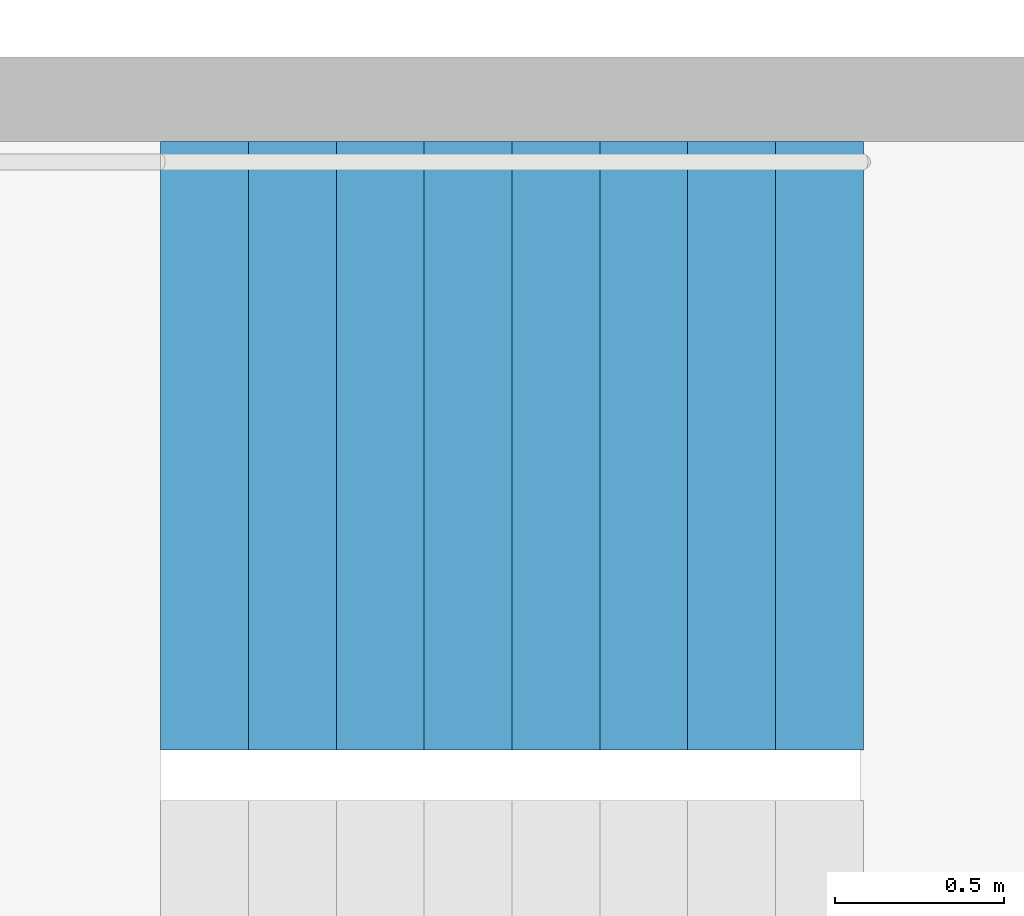
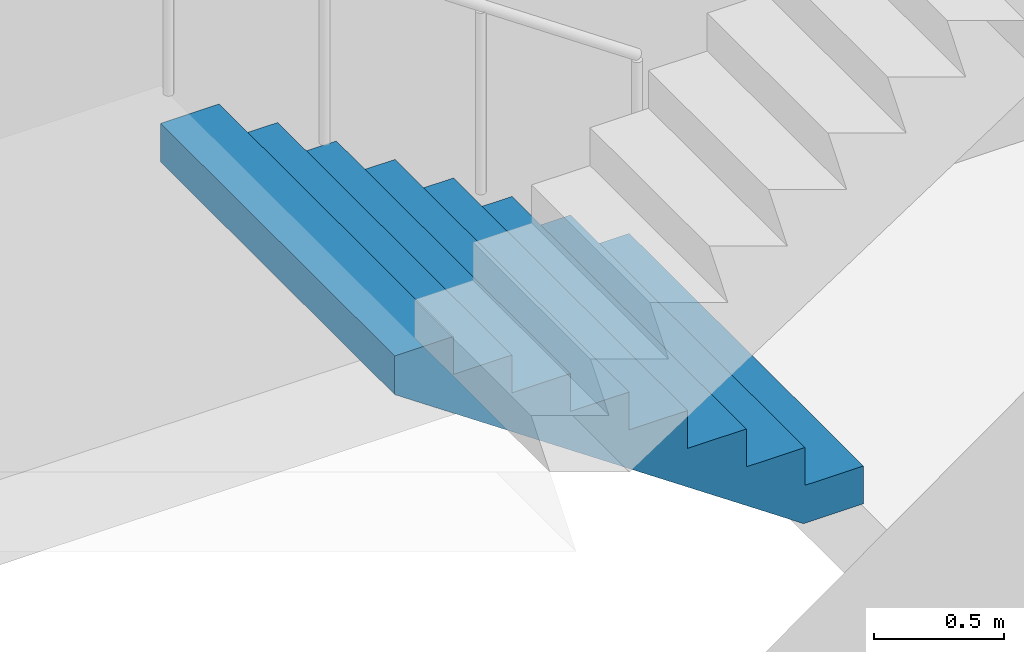
# One storey, part 21 of 28: 1 stair flight, 1 element without a shape of its own.
"""IFC4 building model written with IfcOpenShell, lengths in metres."""

from ifc_helpers import new_model, si_unit, direction, frame, origin, place, context, subcontext, project, spatial, triangles, material, type_object, element, aggregate, save


model = new_model("IFC4")

# Units and contexts
model_context = context("Model", 3, precision=1e-05, world=origin(), true_north=direction((0.0, 1.0)))
body_context = subcontext(model_context, "Body", "Model", "MODEL_VIEW")
ifc_project = project(units=[si_unit("LENGTHUNIT", "METRE"), si_unit("AREAUNIT", "SQUARE_METRE"), si_unit("VOLUMEUNIT", "CUBIC_METRE"), si_unit("PLANEANGLEUNIT", "RADIAN"), si_unit("MASSUNIT", "GRAM", prefix="KILO")], contexts=[model_context])

# Site, building, storey
site_placement = place(None, origin())
site = spatial("IfcSite", under=ifc_project, at=site_placement, CompositionType="ELEMENT")
building_placement = place(site_placement, origin())
building = spatial("IfcBuilding", under=site, at=building_placement, Name="Hakoniwa Tower and Hamabe Station Hall", CompositionType="ELEMENT")
storey_placement = place(building_placement, frame((0.0, 0.0, 58.199951171875)))
storey = spatial("IfcBuildingStorey", under=building, at=storey_placement, Name="L16", CompositionType="ELEMENT", Elevation=58.199951171875)

# Stair, stair flight
ifc_material_1 = material(Name="Concrete C40", Category="concrete")
stair_type = type_object("IfcStairType", Name="ESCAPE STAIR 1800", PredefinedType="HALF_TURN_STAIR", material=ifc_material_1)
stair_placement = place(storey_placement, origin())
stair = element("IfcStair", 1, at=stair_placement, inside=storey, type_object=stair_type, Name="Escape stair ST-2 L16", PredefinedType="HALF_TURN_STAIR")
ifc_material_2 = material(Name="Concrete C40", Category="concrete")
stair_flight_type = type_object("IfcStairFlightType", Name="STAIR FLIGHT 1800", PredefinedType="STRAIGHT", material=ifc_material_2)
stair_flight_placement = place(storey_placement, frame((-23.39990234375, -4.64990234375, 0.0), z_axis=(0.0, 0.0, 1.0), x_axis=(-1.0, 0.0, 0.0)))
stair_flight = element("IfcStairFlight", 2, at=stair_flight_placement, type_object=stair_flight_type, Name="ST-2 flight 1", NumberOfRisers=9, NumberOfTreads=8, PredefinedType="STRAIGHT", RiserHeight=0.177777778, TreadLength=0.26, context=body_context, shape_type="Tessellation", body=[
    triangles([(0.0, 0.89990234375, 0.0), (0.260009765625, 0.89990234375, 0.0), (0.265625, 0.89990234375, 0.0), (0.52001953125, 0.89990234375, 0.174072265625), (0.780029296875, 0.89990234375, 0.351806640625), (1.0400390625, 0.89990234375, 0.529541015625), (1.300048828125, 0.89990234375, 0.707275390625), (1.56005859375, 0.89990234375, 0.885009765625), (1.820068359375, 0.89990234375, 1.062744140625), (2.080078125, 0.89990234375, 1.24072265625), (2.080078125, 0.89990234375, 1.422119140625), (1.820068359375, 0.89990234375, 1.422119140625), (1.820068359375, 0.89990234375, 1.244384765625), (1.56005859375, 0.89990234375, 1.244384765625), (1.56005859375, 0.89990234375, 1.066650390625), (1.300048828125, 0.89990234375, 1.066650390625), (1.300048828125, 0.89990234375, 0.888916015625), (1.0400390625, 0.89990234375, 0.888916015625), (1.0400390625, 0.89990234375, 0.711181640625), (0.780029296875, 0.89990234375, 0.711181640625), (0.780029296875, 0.89990234375, 0.533447265625), (0.52001953125, 0.89990234375, 0.533447265625), (0.52001953125, 0.89990234375, 0.35546875), (0.265625, 0.89990234375, 0.35546875), (0.260009765625, 0.89990234375, 0.35546875), (0.260009765625, 0.89990234375, 0.177734375), (0.0, 0.89990234375, 0.177734375), (0.0, 0.06005859375, 0.0), (0.260009765625, 0.06005859375, 0.0), (0.265625, 0.06005859375, 0.0), (0.52001953125, 0.06005859375, 0.174072265625), (0.780029296875, 0.06005859375, 0.351806640625), (1.0400390625, 0.06005859375, 0.529541015625), (1.300048828125, 0.06005859375, 0.707275390625), (1.56005859375, 0.06005859375, 0.885009765625), (1.820068359375, 0.06005859375, 1.062744140625), (2.080078125, 0.06005859375, 1.24072265625), (2.080078125, 0.06005859375, 1.422119140625), (1.820068359375, 0.06005859375, 1.422119140625), (1.820068359375, 0.06005859375, 1.244384765625), (1.56005859375, 0.06005859375, 1.244384765625), (1.56005859375, 0.06005859375, 1.066650390625), (1.300048828125, 0.06005859375, 1.066650390625), (1.300048828125, 0.06005859375, 0.888916015625), (1.0400390625, 0.06005859375, 0.888916015625), (1.0400390625, 0.06005859375, 0.711181640625), (0.780029296875, 0.06005859375, 0.711181640625), (0.780029296875, 0.06005859375, 0.533447265625), (0.52001953125, 0.06005859375, 0.533447265625), (0.52001953125, 0.06005859375, 0.35546875), (0.265625, 0.06005859375, 0.35546875), (0.260009765625, 0.06005859375, 0.35546875), (0.260009765625, 0.06005859375, 0.177734375), (0.0, 0.06005859375, 0.177734375), (0.0, 0.04296875, 0.0), (0.260009765625, 0.04296875, 0.0), (0.265625, 0.04296875, 0.0), (0.52001953125, 0.04296875, 0.174072265625), (0.780029296875, 0.04296875, 0.351806640625), (1.0400390625, 0.04296875, 0.529541015625), (1.300048828125, 0.04296875, 0.707275390625), (1.56005859375, 0.04296875, 0.885009765625), (1.820068359375, 0.04296875, 1.062744140625), (2.080078125, 0.04296875, 1.24072265625), (2.080078125, 0.04296875, 1.422119140625), (1.820068359375, 0.04296875, 1.422119140625), (1.820068359375, 0.04296875, 1.244384765625), (1.56005859375, 0.04296875, 1.244384765625), (1.56005859375, 0.04296875, 1.066650390625), (1.300048828125, 0.04296875, 1.066650390625), (1.300048828125, 0.04296875, 0.888916015625), (1.0400390625, 0.04296875, 0.888916015625), (1.0400390625, 0.04296875, 0.711181640625), (0.780029296875, 0.04296875, 0.711181640625), (0.780029296875, 0.04296875, 0.533447265625), (0.52001953125, 0.04296875, 0.533447265625), (0.52001953125, 0.04296875, 0.35546875), (0.265625, 0.04296875, 0.35546875), (0.260009765625, 0.04296875, 0.35546875), (0.260009765625, 0.04296875, 0.177734375), (0.0, 0.04296875, 0.177734375), (0.0, 0.025634765625, 0.0), (0.260009765625, 0.025634765625, 0.0), (0.265625, 0.025634765625, 0.0), (0.52001953125, 0.025634765625, 0.174072265625), (0.780029296875, 0.025634765625, 0.351806640625), (1.0400390625, 0.025634765625, 0.529541015625), (1.300048828125, 0.025634765625, 0.707275390625), (1.56005859375, 0.025634765625, 0.885009765625), (1.820068359375, 0.025634765625, 1.062744140625), (2.080078125, 0.025634765625, 1.24072265625), (2.080078125, 0.025634765625, 1.422119140625), (1.820068359375, 0.025634765625, 1.422119140625), (1.820068359375, 0.025634765625, 1.244384765625), (1.56005859375, 0.025634765625, 1.244384765625), (1.56005859375, 0.025634765625, 1.066650390625), (1.300048828125, 0.025634765625, 1.066650390625), (1.300048828125, 0.025634765625, 0.888916015625), (1.0400390625, 0.025634765625, 0.888916015625), (1.0400390625, 0.025634765625, 0.711181640625), (0.780029296875, 0.025634765625, 0.711181640625), (0.780029296875, 0.025634765625, 0.533447265625), (0.52001953125, 0.025634765625, 0.533447265625), (0.52001953125, 0.025634765625, 0.35546875), (0.265625, 0.025634765625, 0.35546875), (0.260009765625, 0.025634765625, 0.35546875), (0.260009765625, 0.025634765625, 0.177734375), (0.0, 0.025634765625, 0.177734375), (0.0, 0.008544921875, 0.0), (0.260009765625, 0.008544921875, 0.0), (0.265625, 0.008544921875, 0.0), (0.52001953125, 0.008544921875, 0.174072265625), (0.780029296875, 0.008544921875, 0.351806640625), (1.0400390625, 0.008544921875, 0.529541015625), (1.300048828125, 0.008544921875, 0.707275390625), (1.56005859375, 0.008544921875, 0.885009765625), (1.820068359375, 0.008544921875, 1.062744140625), (2.080078125, 0.008544921875, 1.24072265625), (2.080078125, 0.008544921875, 1.422119140625), (1.820068359375, 0.008544921875, 1.422119140625), (1.820068359375, 0.008544921875, 1.244384765625), (1.56005859375, 0.008544921875, 1.244384765625), (1.56005859375, 0.008544921875, 1.066650390625), (1.300048828125, 0.008544921875, 1.066650390625), (1.300048828125, 0.008544921875, 0.888916015625), (1.0400390625, 0.008544921875, 0.888916015625), (1.0400390625, 0.008544921875, 0.711181640625), (0.780029296875, 0.008544921875, 0.711181640625), (0.780029296875, 0.008544921875, 0.533447265625), (0.52001953125, 0.008544921875, 0.533447265625), (0.52001953125, 0.008544921875, 0.35546875), (0.265625, 0.008544921875, 0.35546875), (0.260009765625, 0.008544921875, 0.35546875), (0.260009765625, 0.008544921875, 0.177734375), (0.0, 0.008544921875, 0.177734375), (0.0, -0.008544921875, 0.0), (0.260009765625, -0.008544921875, 0.0), (0.265625, -0.008544921875, 0.0), (0.52001953125, -0.008544921875, 0.174072265625), (0.780029296875, -0.008544921875, 0.351806640625), (1.0400390625, -0.008544921875, 0.529541015625), (1.300048828125, -0.008544921875, 0.707275390625), (1.56005859375, -0.008544921875, 0.885009765625), (1.820068359375, -0.008544921875, 1.062744140625), (2.080078125, -0.008544921875, 1.24072265625), (2.080078125, -0.008544921875, 1.422119140625), (1.820068359375, -0.008544921875, 1.422119140625), (1.820068359375, -0.008544921875, 1.244384765625), (1.56005859375, -0.008544921875, 1.244384765625), (1.56005859375, -0.008544921875, 1.066650390625), (1.300048828125, -0.008544921875, 1.066650390625), (1.300048828125, -0.008544921875, 0.888916015625), (1.0400390625, -0.008544921875, 0.888916015625), (1.0400390625, -0.008544921875, 0.711181640625), (0.780029296875, -0.008544921875, 0.711181640625), (0.780029296875, -0.008544921875, 0.533447265625), (0.52001953125, -0.008544921875, 0.533447265625), (0.52001953125, -0.008544921875, 0.35546875), (0.265625, -0.008544921875, 0.35546875), (0.260009765625, -0.008544921875, 0.35546875), (0.260009765625, -0.008544921875, 0.177734375), (0.0, -0.008544921875, 0.177734375), (0.0, -0.025634765625, 0.0), (0.260009765625, -0.025634765625, 0.0), (0.265625, -0.025634765625, 0.0), (0.52001953125, -0.025634765625, 0.174072265625), (0.780029296875, -0.025634765625, 0.351806640625), (1.0400390625, -0.025634765625, 0.529541015625), (1.300048828125, -0.025634765625, 0.707275390625), (1.56005859375, -0.025634765625, 0.885009765625), (1.820068359375, -0.025634765625, 1.062744140625), (2.080078125, -0.025634765625, 1.24072265625), (2.080078125, -0.025634765625, 1.422119140625), (1.820068359375, -0.025634765625, 1.422119140625), (1.820068359375, -0.025634765625, 1.244384765625), (1.56005859375, -0.025634765625, 1.244384765625), (1.56005859375, -0.025634765625, 1.066650390625), (1.300048828125, -0.025634765625, 1.066650390625), (1.300048828125, -0.025634765625, 0.888916015625), (1.0400390625, -0.025634765625, 0.888916015625), (1.0400390625, -0.025634765625, 0.711181640625), (0.780029296875, -0.025634765625, 0.711181640625), (0.780029296875, -0.025634765625, 0.533447265625), (0.52001953125, -0.025634765625, 0.533447265625), (0.52001953125, -0.025634765625, 0.35546875), (0.265625, -0.025634765625, 0.35546875), (0.260009765625, -0.025634765625, 0.35546875), (0.260009765625, -0.025634765625, 0.177734375), (0.0, -0.025634765625, 0.177734375), (0.0, -0.04296875, 0.0), (0.260009765625, -0.04296875, 0.0), (0.265625, -0.04296875, 0.0), (0.52001953125, -0.04296875, 0.174072265625), (0.780029296875, -0.04296875, 0.351806640625), (1.0400390625, -0.04296875, 0.529541015625), (1.300048828125, -0.04296875, 0.707275390625), (1.56005859375, -0.04296875, 0.885009765625), (1.820068359375, -0.04296875, 1.062744140625), (2.080078125, -0.04296875, 1.24072265625), (2.080078125, -0.04296875, 1.422119140625), (1.820068359375, -0.04296875, 1.422119140625), (1.820068359375, -0.04296875, 1.244384765625), (1.56005859375, -0.04296875, 1.244384765625), (1.56005859375, -0.04296875, 1.066650390625), (1.300048828125, -0.04296875, 1.066650390625), (1.300048828125, -0.04296875, 0.888916015625), (1.0400390625, -0.04296875, 0.888916015625), (1.0400390625, -0.04296875, 0.711181640625), (0.780029296875, -0.04296875, 0.711181640625), (0.780029296875, -0.04296875, 0.533447265625), (0.52001953125, -0.04296875, 0.533447265625), (0.52001953125, -0.04296875, 0.35546875), (0.265625, -0.04296875, 0.35546875), (0.260009765625, -0.04296875, 0.35546875), (0.260009765625, -0.04296875, 0.177734375), (0.0, -0.04296875, 0.177734375), (0.0, -0.06005859375, 0.0), (0.260009765625, -0.06005859375, 0.0), (0.265625, -0.06005859375, 0.0), (0.52001953125, -0.06005859375, 0.174072265625), (0.780029296875, -0.06005859375, 0.351806640625), (1.0400390625, -0.06005859375, 0.529541015625), (1.300048828125, -0.06005859375, 0.707275390625), (1.56005859375, -0.06005859375, 0.885009765625), (1.820068359375, -0.06005859375, 1.062744140625), (2.080078125, -0.06005859375, 1.24072265625), (2.080078125, -0.06005859375, 1.422119140625), (1.820068359375, -0.06005859375, 1.422119140625), (1.820068359375, -0.06005859375, 1.244384765625), (1.56005859375, -0.06005859375, 1.244384765625), (1.56005859375, -0.06005859375, 1.066650390625), (1.300048828125, -0.06005859375, 1.066650390625), (1.300048828125, -0.06005859375, 0.888916015625), (1.0400390625, -0.06005859375, 0.888916015625), (1.0400390625, -0.06005859375, 0.711181640625), (0.780029296875, -0.06005859375, 0.711181640625), (0.780029296875, -0.06005859375, 0.533447265625), (0.52001953125, -0.06005859375, 0.533447265625), (0.52001953125, -0.06005859375, 0.35546875), (0.265625, -0.06005859375, 0.35546875), (0.260009765625, -0.06005859375, 0.35546875), (0.260009765625, -0.06005859375, 0.177734375), (0.0, -0.06005859375, 0.177734375), (0.0, -0.89990234375, 0.0), (0.260009765625, -0.89990234375, 0.0), (0.265625, -0.89990234375, 0.0), (0.52001953125, -0.89990234375, 0.174072265625), (0.780029296875, -0.89990234375, 0.351806640625), (1.0400390625, -0.89990234375, 0.529541015625), (1.300048828125, -0.89990234375, 0.707275390625), (1.56005859375, -0.89990234375, 0.885009765625), (1.820068359375, -0.89990234375, 1.062744140625), (2.080078125, -0.89990234375, 1.24072265625), (2.080078125, -0.89990234375, 1.422119140625), (1.820068359375, -0.89990234375, 1.422119140625), (1.820068359375, -0.89990234375, 1.244384765625), (1.56005859375, -0.89990234375, 1.244384765625), (1.56005859375, -0.89990234375, 1.066650390625), (1.300048828125, -0.89990234375, 1.066650390625), (1.300048828125, -0.89990234375, 0.888916015625), (1.0400390625, -0.89990234375, 0.888916015625), (1.0400390625, -0.89990234375, 0.711181640625), (0.780029296875, -0.89990234375, 0.711181640625), (0.780029296875, -0.89990234375, 0.533447265625), (0.52001953125, -0.89990234375, 0.533447265625), (0.52001953125, -0.89990234375, 0.35546875), (0.265625, -0.89990234375, 0.35546875), (0.260009765625, -0.89990234375, 0.35546875), (0.260009765625, -0.89990234375, 0.177734375), (0.0, -0.89990234375, 0.177734375)], [[2, 27, 26], [245, 269, 270], [2, 1, 27], [245, 270, 244], [3, 25, 24], [246, 267, 268], [3, 26, 25], [246, 268, 269], [3, 2, 26], [246, 269, 245], [4, 24, 23], [247, 266, 267], [4, 3, 24], [247, 267, 246], [5, 22, 21], [248, 264, 265], [5, 23, 22], [248, 265, 266], [5, 4, 23], [248, 266, 247], [6, 20, 19], [249, 262, 263], [6, 21, 20], [249, 263, 264], [6, 5, 21], [249, 264, 248], [7, 18, 17], [250, 260, 261], [7, 19, 18], [250, 261, 262], [7, 6, 19], [250, 262, 249], [8, 16, 15], [251, 258, 259], [8, 17, 16], [251, 259, 260], [8, 7, 17], [251, 260, 250], [9, 14, 13], [252, 256, 257], [9, 15, 14], [252, 257, 258], [9, 8, 15], [252, 258, 251], [10, 12, 11], [253, 254, 255], [10, 13, 12], [253, 255, 256], [10, 9, 13], [253, 256, 252], [1, 2, 29], [1, 29, 28], [28, 29, 56], [28, 56, 55], [55, 56, 83], [55, 83, 82], [82, 83, 110], [82, 110, 109], [109, 110, 137], [109, 137, 136], [136, 137, 164], [136, 164, 163], [163, 164, 191], [163, 191, 190], [190, 191, 218], [190, 218, 217], [217, 218, 245], [217, 245, 244], [2, 3, 30], [2, 30, 29], [29, 30, 57], [29, 57, 56], [56, 57, 84], [56, 84, 83], [83, 84, 111], [83, 111, 110], [110, 111, 138], [110, 138, 137], [137, 138, 165], [137, 165, 164], [164, 165, 192], [164, 192, 191], [191, 192, 219], [191, 219, 218], [218, 219, 246], [218, 246, 245], [3, 4, 31], [3, 31, 30], [30, 31, 58], [30, 58, 57], [57, 58, 85], [57, 85, 84], [84, 85, 112], [84, 112, 111], [111, 112, 139], [111, 139, 138], [138, 139, 166], [138, 166, 165], [165, 166, 193], [165, 193, 192], [192, 193, 220], [192, 220, 219], [219, 220, 247], [219, 247, 246], [4, 5, 32], [4, 32, 31], [31, 32, 59], [31, 59, 58], [58, 59, 86], [58, 86, 85], [85, 86, 113], [85, 113, 112], [112, 113, 140], [112, 140, 139], [139, 140, 167], [139, 167, 166], [166, 167, 194], [166, 194, 193], [193, 194, 221], [193, 221, 220], [220, 221, 248], [220, 248, 247], [5, 6, 33], [5, 33, 32], [32, 33, 60], [32, 60, 59], [59, 60, 87], [59, 87, 86], [86, 87, 114], [86, 114, 113], [113, 114, 141], [113, 141, 140], [140, 141, 168], [140, 168, 167], [167, 168, 195], [167, 195, 194], [194, 195, 222], [194, 222, 221], [221, 222, 249], [221, 249, 248], [6, 7, 34], [6, 34, 33], [33, 34, 61], [33, 61, 60], [60, 61, 88], [60, 88, 87], [87, 88, 115], [87, 115, 114], [114, 115, 142], [114, 142, 141], [141, 142, 169], [141, 169, 168], [168, 169, 196], [168, 196, 195], [195, 196, 223], [195, 223, 222], [222, 223, 250], [222, 250, 249], [7, 8, 35], [7, 35, 34], [34, 35, 62], [34, 62, 61], [61, 62, 89], [61, 89, 88], [88, 89, 116], [88, 116, 115], [115, 116, 143], [115, 143, 142], [142, 143, 170], [142, 170, 169], [169, 170, 197], [169, 197, 196], [196, 197, 224], [196, 224, 223], [223, 224, 251], [223, 251, 250], [8, 9, 36], [8, 36, 35], [35, 36, 63], [35, 63, 62], [62, 63, 90], [62, 90, 89], [89, 90, 117], [89, 117, 116], [116, 117, 144], [116, 144, 143], [143, 144, 171], [143, 171, 170], [170, 171, 198], [170, 198, 197], [197, 198, 225], [197, 225, 224], [224, 225, 252], [224, 252, 251], [9, 10, 37], [9, 37, 36], [36, 37, 64], [36, 64, 63], [63, 64, 91], [63, 91, 90], [90, 91, 118], [90, 118, 117], [117, 118, 145], [117, 145, 144], [144, 145, 172], [144, 172, 171], [171, 172, 199], [171, 199, 198], [198, 199, 226], [198, 226, 225], [225, 226, 253], [225, 253, 252], [10, 11, 38], [10, 38, 37], [37, 38, 65], [37, 65, 64], [64, 65, 92], [64, 92, 91], [91, 92, 119], [91, 119, 118], [118, 119, 146], [118, 146, 145], [145, 146, 173], [145, 173, 172], [172, 173, 200], [172, 200, 199], [199, 200, 227], [199, 227, 226], [226, 227, 254], [226, 254, 253], [11, 12, 39], [11, 39, 38], [38, 39, 66], [38, 66, 65], [65, 66, 93], [65, 93, 92], [92, 93, 120], [92, 120, 119], [119, 120, 147], [119, 147, 146], [146, 147, 174], [146, 174, 173], [173, 174, 201], [173, 201, 200], [200, 201, 228], [200, 228, 227], [227, 228, 255], [227, 255, 254], [12, 13, 40], [12, 40, 39], [39, 40, 67], [39, 67, 66], [66, 67, 94], [66, 94, 93], [93, 94, 121], [93, 121, 120], [120, 121, 148], [120, 148, 147], [147, 148, 175], [147, 175, 174], [174, 175, 202], [174, 202, 201], [201, 202, 229], [201, 229, 228], [228, 229, 256], [228, 256, 255], [13, 14, 41], [13, 41, 40], [40, 41, 68], [40, 68, 67], [67, 68, 95], [67, 95, 94], [94, 95, 122], [94, 122, 121], [121, 122, 149], [121, 149, 148], [148, 149, 176], [148, 176, 175], [175, 176, 203], [175, 203, 202], [202, 203, 230], [202, 230, 229], [229, 230, 257], [229, 257, 256], [14, 15, 42], [14, 42, 41], [41, 42, 69], [41, 69, 68], [68, 69, 96], [68, 96, 95], [95, 96, 123], [95, 123, 122], [122, 123, 150], [122, 150, 149], [149, 150, 177], [149, 177, 176], [176, 177, 204], [176, 204, 203], [203, 204, 231], [203, 231, 230], [230, 231, 258], [230, 258, 257], [15, 16, 43], [15, 43, 42], [42, 43, 70], [42, 70, 69], [69, 70, 97], [69, 97, 96], [96, 97, 124], [96, 124, 123], [123, 124, 151], [123, 151, 150], [150, 151, 178], [150, 178, 177], [177, 178, 205], [177, 205, 204], [204, 205, 232], [204, 232, 231], [231, 232, 259], [231, 259, 258], [16, 17, 44], [16, 44, 43], [43, 44, 71], [43, 71, 70], [70, 71, 98], [70, 98, 97], [97, 98, 125], [97, 125, 124], [124, 125, 152], [124, 152, 151], [151, 152, 179], [151, 179, 178], [178, 179, 206], [178, 206, 205], [205, 206, 233], [205, 233, 232], [232, 233, 260], [232, 260, 259], [17, 18, 45], [17, 45, 44], [44, 45, 72], [44, 72, 71], [71, 72, 99], [71, 99, 98], [98, 99, 126], [98, 126, 125], [125, 126, 153], [125, 153, 152], [152, 153, 180], [152, 180, 179], [179, 180, 207], [179, 207, 206], [206, 207, 234], [206, 234, 233], [233, 234, 261], [233, 261, 260], [18, 19, 46], [18, 46, 45], [45, 46, 73], [45, 73, 72], [72, 73, 100], [72, 100, 99], [99, 100, 127], [99, 127, 126], [126, 127, 154], [126, 154, 153], [153, 154, 181], [153, 181, 180], [180, 181, 208], [180, 208, 207], [207, 208, 235], [207, 235, 234], [234, 235, 262], [234, 262, 261], [19, 20, 47], [19, 47, 46], [46, 47, 74], [46, 74, 73], [73, 74, 101], [73, 101, 100], [100, 101, 128], [100, 128, 127], [127, 128, 155], [127, 155, 154], [154, 155, 182], [154, 182, 181], [181, 182, 209], [181, 209, 208], [208, 209, 236], [208, 236, 235], [235, 236, 263], [235, 263, 262], [20, 21, 48], [20, 48, 47], [47, 48, 75], [47, 75, 74], [74, 75, 102], [74, 102, 101], [101, 102, 129], [101, 129, 128], [128, 129, 156], [128, 156, 155], [155, 156, 183], [155, 183, 182], [182, 183, 210], [182, 210, 209], [209, 210, 237], [209, 237, 236], [236, 237, 264], [236, 264, 263], [21, 22, 49], [21, 49, 48], [48, 49, 76], [48, 76, 75], [75, 76, 103], [75, 103, 102], [102, 103, 130], [102, 130, 129], [129, 130, 157], [129, 157, 156], [156, 157, 184], [156, 184, 183], [183, 184, 211], [183, 211, 210], [210, 211, 238], [210, 238, 237], [237, 238, 265], [237, 265, 264], [22, 23, 50], [22, 50, 49], [49, 50, 77], [49, 77, 76], [76, 77, 104], [76, 104, 103], [103, 104, 131], [103, 131, 130], [130, 131, 158], [130, 158, 157], [157, 158, 185], [157, 185, 184], [184, 185, 212], [184, 212, 211], [211, 212, 239], [211, 239, 238], [238, 239, 266], [238, 266, 265], [23, 24, 51], [23, 51, 50], [50, 51, 78], [50, 78, 77], [77, 78, 105], [77, 105, 104], [104, 105, 132], [104, 132, 131], [131, 132, 159], [131, 159, 158], [158, 159, 186], [158, 186, 185], [185, 186, 213], [185, 213, 212], [212, 213, 240], [212, 240, 239], [239, 240, 267], [239, 267, 266], [24, 25, 52], [24, 52, 51], [51, 52, 79], [51, 79, 78], [78, 79, 106], [78, 106, 105], [105, 106, 133], [105, 133, 132], [132, 133, 160], [132, 160, 159], [159, 160, 187], [159, 187, 186], [186, 187, 214], [186, 214, 213], [213, 214, 241], [213, 241, 240], [240, 241, 268], [240, 268, 267], [25, 26, 53], [25, 53, 52], [52, 53, 80], [52, 80, 79], [79, 80, 107], [79, 107, 106], [106, 107, 134], [106, 134, 133], [133, 134, 161], [133, 161, 160], [160, 161, 188], [160, 188, 187], [187, 188, 215], [187, 215, 214], [214, 215, 242], [214, 242, 241], [241, 242, 269], [241, 269, 268], [26, 27, 54], [26, 54, 53], [53, 54, 81], [53, 81, 80], [80, 81, 108], [80, 108, 107], [107, 108, 135], [107, 135, 134], [134, 135, 162], [134, 162, 161], [161, 162, 189], [161, 189, 188], [188, 189, 216], [188, 216, 215], [215, 216, 243], [215, 243, 242], [242, 243, 270], [242, 270, 269], [27, 1, 28], [27, 28, 54], [54, 28, 55], [54, 55, 81], [81, 55, 82], [81, 82, 108], [108, 82, 109], [108, 109, 135], [135, 109, 136], [135, 136, 162], [162, 136, 163], [162, 163, 189], [189, 163, 190], [189, 190, 216], [216, 190, 217], [216, 217, 243], [243, 217, 244], [243, 244, 270]], closed=True),
])
aggregate(stair, [stair_flight])

save(model, "model.ifc")
